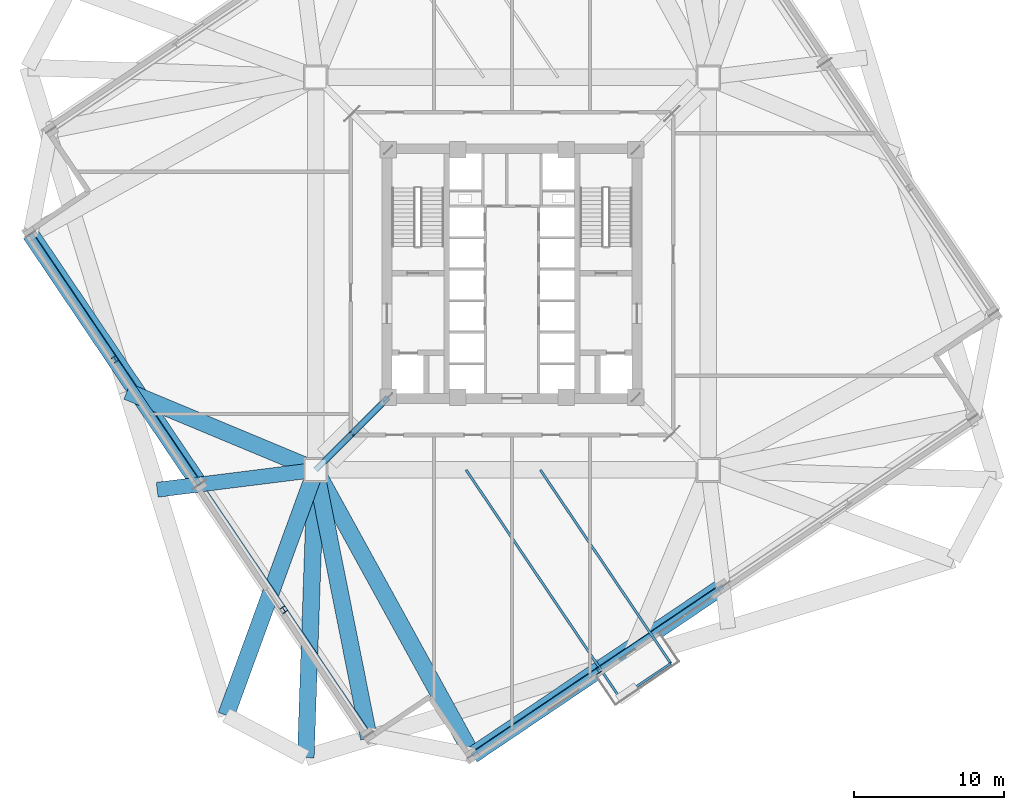
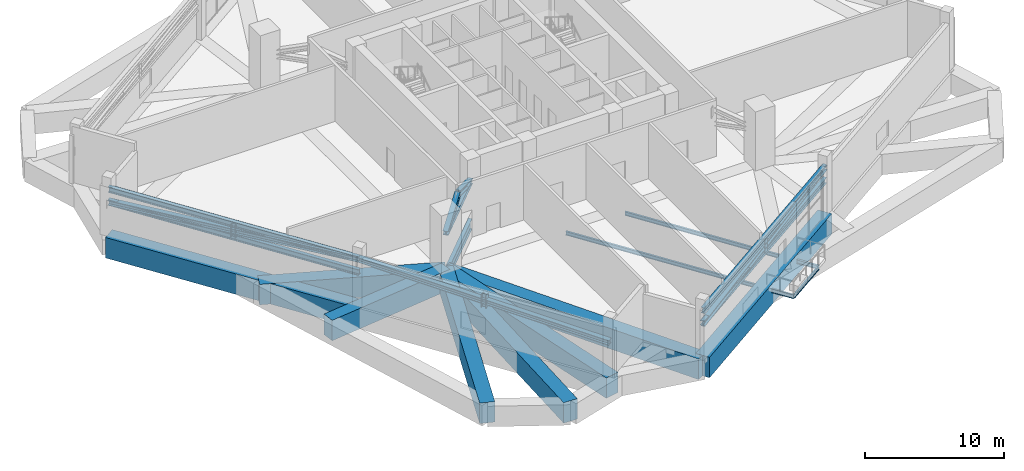
# One storey, part 2 of 21: 13 members, 12 beams.
"""IFC4 building model written with IfcOpenShell, lengths in metres."""

from ifc_helpers import new_model, si_unit, direction, frame, origin, origin_2d, place, context, subcontext, project, spatial, rectangle, i_section, extrude, source, transform, mapped, material, material_profile, profile_set, type_object, element, save


model = new_model("IFC4")

# Units and contexts
model_context = context("Model", 3, precision=1e-05, world=origin(), true_north=direction((0.0, 1.0)))
body_context = subcontext(model_context, "Body", "Model", "MODEL_VIEW")
ifc_project = project(units=[si_unit("LENGTHUNIT", "METRE"), si_unit("AREAUNIT", "SQUARE_METRE"), si_unit("VOLUMEUNIT", "CUBIC_METRE"), si_unit("PLANEANGLEUNIT", "RADIAN"), si_unit("MASSUNIT", "GRAM", prefix="KILO"), si_unit("THERMODYNAMICTEMPERATUREUNIT", "KELVIN")], contexts=[model_context])

# Site, building, storey
site_placement = place(None, origin())
site = spatial("IfcSite", under=ifc_project, at=site_placement, CompositionType="ELEMENT")
building_placement = place(site_placement, origin())
building = spatial("IfcBuilding", under=site, at=building_placement, Name="Kosmvard Interchange Tower", CompositionType="ELEMENT")
storey_placement = place(building_placement, frame((0.0, 0.0, 139.199951171875)))
storey = spatial("IfcBuildingStorey", under=building, at=storey_placement, Name="L33", CompositionType="ELEMENT", Elevation=139.199951171875)

# Beams
ifc_material_1 = material(Name="Steel S460", Category="steel")
ifc_material_profile_1 = material_profile(ifc_material_1, i_section(OverallWidth=0.30810546875, OverallDepth=0.909912109375, WebThickness=0.02099609375, FlangeThickness=0.0400390625, FilletRadius=0.027099609375, at=origin_2d()), Name="HEM 900")
ifc_profile_set_1 = profile_set([ifc_material_profile_1], Name="Steel S460")
beam_type_1 = type_object("IfcBeamType", Name="Primary Mega-Frame Girder HEM 900 S460", PredefinedType="BEAM", material=ifc_profile_set_1)
shared_shape_1 = source(origin(), body_context, "Body", "SweptSolid", [
    extrude(i_section(OverallWidth=0.30810546875, OverallDepth=0.909912109375, WebThickness=0.02099609375, FlangeThickness=0.0400390625, FilletRadius=0.027099609375, at=origin_2d()), origin(), (0.0, 0.0, 1.0), 6.83203125),
])
beam_1_placement = place(storey_placement, frame((-8.25, -8.25, -0.85498046875), z_axis=(-0.707106781187, -0.707106781187, 0.0), x_axis=(0.707106781187, -0.707106781187, 0.0)))
element("IfcBeam", 1, at=beam_1_placement, inside=storey, type_object=beam_type_1, Name="L33 Radial Mega-Frame Girder 1", PredefinedType="BEAM", context=body_context, shape_type="MappedRepresentation", body=[
    mapped(shared_shape_1, transform((0.0, 0.0, 0.0), scale=1.0)),
])
ifc_material_2 = material(Name="Concrete C60/75", Category="concrete")
ifc_material_profile_2 = material_profile(ifc_material_2, rectangle(XDim=1.1201171875, YDim=1.800048828125, at=origin_2d()), Name="TG 1120x1800")
ifc_profile_set_2 = profile_set([ifc_material_profile_2], Name="Concrete C60/75")
beam_type_2 = type_object("IfcBeamType", Name="Zone Long-Span Transfer Girder 1120x1800 C60/75", PredefinedType="USERDEFINED", material=ifc_profile_set_2)
shared_shape_2 = source(origin(), body_context, "Body", "SweptSolid", [
    extrude(rectangle(XDim=1.1201171875, YDim=1.800048828125, at=origin_2d()), origin(), (0.0, 0.0, 1.0), 19.18359375),
])
beam_2_placement = place(storey_placement, frame((-13.0810546875, -13.0810546875, -0.89990234375), z_axis=(-0.034641549738, -0.999399801397, 0.0), x_axis=(0.999399801397, -0.034641549738, 0.0)))
element("IfcBeam", 2, at=beam_2_placement, inside=storey, type_object=beam_type_2, Name="BM-L33-LD01", ObjectType="TRANSFER_GIRDER", PredefinedType="USERDEFINED", context=body_context, shape_type="MappedRepresentation", body=[
    mapped(shared_shape_2, transform((0.0, 0.0, 0.0), scale=1.0)),
])
shared_shape_3 = source(origin(), body_context, "Body", "SweptSolid", [
    extrude(rectangle(XDim=1.1201171875, YDim=1.800048828125, at=origin_2d()), origin(), (0.0, 0.0, 1.0), 17.40673828125),
])
beam_3_placement = place(storey_placement, frame((-13.0810546875, -13.0810546875, -0.89990234375), z_axis=(-0.343054696491, -0.939315429031, 0.0), x_axis=(0.939315429031, -0.343054696491, 0.0)))
element("IfcBeam", 3, at=beam_3_placement, inside=storey, type_object=beam_type_2, Name="BM-L33-LD12", ObjectType="TRANSFER_GIRDER", PredefinedType="USERDEFINED", context=body_context, shape_type="MappedRepresentation", body=[
    mapped(shared_shape_3, transform((0.0, 0.0, 0.0), scale=1.0)),
])

# Members
ifc_material_profile_3 = material_profile(ifc_material_1, i_section(OverallWidth=0.40087890625, OverallDepth=0.39892578125, WebThickness=0.0185546875, FlangeThickness=0.028076171875, FilletRadius=0.014892578125, at=origin_2d()), Name="HD 400x314")
ifc_profile_set_3 = profile_set([ifc_material_profile_3], Name="Steel S460")
member_type_1 = type_object("IfcMemberType", Name="Outrigger Top and Bottom Chord HD 400x314 S460", PredefinedType="CHORD", material=ifc_profile_set_3)
shared_shape_4 = source(origin(), body_context, "Body", "SweptSolid", [
    extrude(i_section(OverallWidth=0.40087890625, OverallDepth=0.39892578125, WebThickness=0.0185546875, FlangeThickness=0.028076171875, FilletRadius=0.014892578125, at=origin_2d()), origin(), (0.0, 0.0, 1.0), 6.83203125),
])
member_1_placement = place(storey_placement, frame((-8.25, -8.25, 2.920166015625), z_axis=(-0.707106781187, -0.707106781187, 0.0), x_axis=(0.707106781187, -0.707106781187, 0.0)))
element("IfcMember", 4, at=member_1_placement, inside=storey, type_object=member_type_1, Name="L33 Outrigger Bottom Chord 1", PredefinedType="CHORD", context=body_context, shape_type="MappedRepresentation", body=[
    mapped(shared_shape_4, transform((0.0, 0.0, 0.0), scale=1.0)),
])
ifc_material_profile_4 = material_profile(ifc_material_1, i_section(OverallWidth=0.3759765625, OverallDepth=0.386962890625, WebThickness=0.01953125, FlangeThickness=0.031982421875, FilletRadius=0.014892578125, at=origin_2d()), Name="HD 360x329")
ifc_profile_set_4 = profile_set([ifc_material_profile_4], Name="Steel S460")
member_type_2 = type_object("IfcMemberType", Name="Belt Truss Vertical Post HD 360x329 S460", PredefinedType="STUD", material=ifc_profile_set_4)
shared_shape_5 = source(origin(), body_context, "Body", "SweptSolid", [
    extrude(i_section(OverallWidth=0.3759765625, OverallDepth=0.386962890625, WebThickness=0.01953125, FlangeThickness=0.031982421875, FilletRadius=0.014892578125, at=origin_2d()), origin(), (0.0, 0.0, 1.0), 1.139892578125),
])
for number, where, z_axis, x_axis, name in (
    (5, (5.70751953125, -26.45654296875, 2.820068359375), (0.0, 0.0, 1.0), (0.829037572555, 0.559192903471, 0.0), "L33 Belt Truss Post S1"),
    (6, (-26.45654296875, -5.70751953125, 2.820068359375), (0.0, 0.0, 1.0), (0.829037572555, 0.559192903471, 0.0), "L33 Belt Truss Post W1"),
    (7, (-15.20263671875, -22.391845703125, 2.820068359375), (0.0, 0.0, 1.0), (0.829037572555, 0.559192903471, 0.0), "L33 Belt Truss Post W2"),
):
    element("IfcMember", number, at=place(storey_placement, frame(where, z_axis=z_axis, x_axis=x_axis)), inside=storey, type_object=member_type_2, Name=name, PredefinedType="STUD", context=body_context, shape_type="MappedRepresentation", body=[
        mapped(shared_shape_5, transform((0.0, 0.0, 0.0), scale=1.0)),
    ])

# Beams
shared_shape_6 = source(origin(), body_context, "Body", "SweptSolid", [
    extrude(rectangle(XDim=1.1201171875, YDim=1.800048828125, at=origin_2d()), origin(), (0.0, 0.0, 1.0), 13.619384765625),
])
beam_4_placement = place(storey_placement, frame((-13.0810546875, -13.0810546875, -0.89990234375), z_axis=(-0.92307586237, 0.384617930303, 0.0), x_axis=(-0.384617930303, -0.92307586237, 0.0)))
element("IfcBeam", 8, at=beam_4_placement, inside=storey, type_object=beam_type_2, Name="BM-L33-LD11", ObjectType="TRANSFER_GIRDER", PredefinedType="USERDEFINED", context=body_context, shape_type="MappedRepresentation", body=[
    mapped(shared_shape_6, transform((0.0, 0.0, 0.0), scale=1.0)),
])
shared_shape_7 = source(origin(), body_context, "Body", "SweptSolid", [
    extrude(rectangle(XDim=1.1201171875, YDim=1.800048828125, at=origin_2d()), origin(), (0.0, 0.0, 1.0), 21.684326171875),
])
beam_5_placement = place(storey_placement, frame((-13.0810546875, -13.0810546875, -0.89990234375), z_axis=(0.48174456271, -0.876311689012, 0.0), x_axis=(0.876311689012, 0.48174456271, 0.0)))
element("IfcBeam", 9, at=beam_5_placement, inside=storey, type_object=beam_type_2, Name="BM-L33-RD01", ObjectType="TRANSFER_GIRDER", PredefinedType="USERDEFINED", context=body_context, shape_type="MappedRepresentation", body=[
    mapped(shared_shape_7, transform((0.0, 0.0, 0.0), scale=1.0)),
])
shared_shape_8 = source(origin(), body_context, "Body", "SweptSolid", [
    extrude(rectangle(XDim=1.1201171875, YDim=1.800048828125, at=origin_2d()), origin(), (0.0, 0.0, 1.0), 20.125),
])
for number, where, z_axis, x_axis, name in (
    (10, (-2.634765625, -32.083251953125, -0.89990234375), (0.82904270175, 0.559185299051, 0.0), (-0.559185299051, 0.82904270175, 0.0), "BM-L33-PR01"),
    (11, (-32.083251953125, 2.634765625, -0.89990234375), (0.559185299051, -0.82904270175, 0.0), (0.82904270175, 0.559185299051, 0.0), "BM-L33-PR10"),
):
    element("IfcBeam", number, at=place(storey_placement, frame(where, z_axis=z_axis, x_axis=x_axis)), inside=storey, type_object=beam_type_2, Name=name, ObjectType="TRANSFER_GIRDER", PredefinedType="USERDEFINED", context=body_context, shape_type="MappedRepresentation", body=[
        mapped(shared_shape_8, transform((0.0, 0.0, 0.0), scale=1.0)),
    ])
ifc_material_profile_5 = material_profile(ifc_material_2, rectangle(XDim=1.0, YDim=1.800048828125, at=origin_2d()), Name="TG 1000x1800")
ifc_profile_set_5 = profile_set([ifc_material_profile_5], Name="Concrete C60/75")
beam_type_3 = type_object("IfcBeamType", Name="Zone Transfer Ring Girder 1000x1800 C60/75", PredefinedType="USERDEFINED", material=ifc_profile_set_5)
shared_shape_9 = source(origin(), body_context, "Body", "SweptSolid", [
    extrude(rectangle(XDim=1.0, YDim=1.800048828125, at=origin_2d()), origin(), (0.0, 0.0, 1.0), 10.648681640625),
])
beam_6_placement = place(storey_placement, frame((-13.0810546875, -13.0810546875, -0.89990234375), z_axis=(-0.992275054688, -0.124057308709, 0.0), x_axis=(0.124057308709, -0.992275054688, 0.0)))
element("IfcBeam", 12, at=beam_6_placement, inside=storey, type_object=beam_type_3, Name="BM-L33-RD11", ObjectType="TRANSFER_GIRDER", PredefinedType="USERDEFINED", context=body_context, shape_type="MappedRepresentation", body=[
    mapped(shared_shape_9, transform((0.0, 0.0, 0.0), scale=1.0)),
])
shared_shape_10 = source(origin(), body_context, "Body", "SweptSolid", [
    extrude(rectangle(XDim=1.1201171875, YDim=1.800048828125, at=origin_2d()), origin(), (0.0, 0.0, 1.0), 18.232421875),
])
beam_7_placement = place(storey_placement, frame((-13.0810546875, -13.0810546875, -0.89990234375), z_axis=(0.194764028779, -0.980850127743, 0.0), x_axis=(0.980850127743, 0.194764028779, 0.0)))
element("IfcBeam", 13, at=beam_7_placement, inside=storey, type_object=beam_type_2, Name="BM-L33-RD12", ObjectType="TRANSFER_GIRDER", PredefinedType="USERDEFINED", context=body_context, shape_type="MappedRepresentation", body=[
    mapped(shared_shape_10, transform((0.0, 0.0, 0.0), scale=1.0)),
])
ifc_material_3 = material(Name="Steel S355", Category="steel")
ifc_material_profile_6 = material_profile(ifc_material_3, i_section(OverallWidth=0.159912109375, OverallDepth=0.330078125, WebThickness=0.007568359375, FlangeThickness=0.011474609375, FilletRadius=0.01806640625, at=origin_2d()), Name="IPE 330")
ifc_profile_set_6 = profile_set([ifc_material_profile_6], Name="Steel S355")
beam_type_4 = type_object("IfcBeamType", Name="Balcony Cantilever Joist IPE 330 S355", PredefinedType="JOIST", material=ifc_profile_set_6)
shared_shape_11 = source(origin(), body_context, "Body", "SweptSolid", [
    extrude(i_section(OverallWidth=0.159912109375, OverallDepth=0.330078125, WebThickness=0.007568359375, FlangeThickness=0.011474609375, FilletRadius=0.01806640625, at=origin_2d()), origin(), (0.0, 0.0, 1.0), 18.3154296875),
])
beam_8_placement = place(storey_placement, frame((-3.05810546875, -13.0810546875, -0.56494140625), z_axis=(0.559198558956, -0.829033757854, 0.0), x_axis=(0.829033757854, 0.559198558956, 0.0)))
element("IfcBeam", 14, at=beam_8_placement, inside=storey, type_object=beam_type_4, Name="BM-L33-BJ2", PredefinedType="JOIST", context=body_context, shape_type="MappedRepresentation", body=[
    mapped(shared_shape_11, transform((0.0, 0.0, 0.0), scale=1.0)),
])
shared_shape_12 = source(origin(), body_context, "Body", "SweptSolid", [
    extrude(i_section(OverallWidth=0.159912109375, OverallDepth=0.330078125, WebThickness=0.007568359375, FlangeThickness=0.011474609375, FilletRadius=0.01806640625, at=origin_2d()), origin(), (0.0, 0.0, 1.0), 15.5498046875),
])
beam_9_placement = place(storey_placement, frame((1.887451171875, -13.0810546875, -0.56494140625), z_axis=(0.559192113404, -0.829038105461, 0.0), x_axis=(0.829038105461, 0.559192113404, 0.0)))
element("IfcBeam", 15, at=beam_9_placement, inside=storey, type_object=beam_type_4, Name="BM-L33-BJB2", PredefinedType="JOIST", context=body_context, shape_type="MappedRepresentation", body=[
    mapped(shared_shape_12, transform((0.0, 0.0, 0.0), scale=1.0)),
])
ifc_material_profile_7 = material_profile(ifc_material_3, i_section(OverallWidth=0.14990234375, OverallDepth=0.300048828125, WebThickness=0.007080078125, FlangeThickness=0.0107421875, FilletRadius=0.014892578125, at=origin_2d()), Name="IPE 300")
ifc_profile_set_7 = profile_set([ifc_material_profile_7], Name="Steel S355")
beam_type_5 = type_object("IfcBeamType", Name="Balcony Edge Header Joist IPE 300 S355", PredefinedType="JOIST", material=ifc_profile_set_7)
shared_shape_13 = source(origin(), body_context, "Body", "SweptSolid", [
    extrude(i_section(OverallWidth=0.14990234375, OverallDepth=0.300048828125, WebThickness=0.007080078125, FlangeThickness=0.0107421875, FilletRadius=0.014892578125, at=origin_2d()), origin(), (0.0, 0.0, 1.0), 4.099853515625),
])
beam_10_placement = place(storey_placement, frame((7.183837890625, -28.26513671875, -0.550048828125), z_axis=(0.829023978396, 0.559213057112, 0.0), x_axis=(-0.559213057112, 0.829023978396, 0.0)))
element("IfcBeam", 16, at=beam_10_placement, inside=storey, type_object=beam_type_5, Name="BM-L33-BJH2", PredefinedType="JOIST", context=body_context, shape_type="MappedRepresentation", body=[
    mapped(shared_shape_13, transform((0.0, 0.0, 0.0), scale=1.0)),
])

# Members
ifc_material_profile_8 = material_profile(ifc_material_1, i_section(OverallWidth=0.408935546875, OverallDepth=0.425048828125, WebThickness=0.02392578125, FlangeThickness=0.0390625, FilletRadius=0.014892578125, at=origin_2d()), Name="HD 400x421")
ifc_profile_set_8 = profile_set([ifc_material_profile_8], Name="Steel S460")
member_type_3 = type_object("IfcMemberType", Name="Radial Outrigger Diagonal HD 400x421 S460", PredefinedType="BRACE", material=ifc_profile_set_8)
shared_shape_14 = source(origin(), body_context, "Body", "SweptSolid", [
    extrude(i_section(OverallWidth=0.408935546875, OverallDepth=0.425048828125, WebThickness=0.02392578125, FlangeThickness=0.0390625, FilletRadius=0.014892578125, at=origin_2d()), origin(), (0.0, 0.0, 1.0), 3.62744140625),
])
for number, where, z_axis, x_axis, name in (
    (17, (-8.25, -8.25, 2.920166015625), (-0.665915478014, -0.665915478014, 0.336322988037), (0.707106781187, -0.707106781187, 0.0), "L33 Outrigger Diagonal 1A"),
    (18, (-10.66552734375, -10.66552734375, 4.14013671875), (-0.665915478014, -0.665915478014, -0.336322988037), (0.707106781187, -0.707106781187, 0.0), "L33 Outrigger Diagonal 1B"),
):
    element("IfcMember", number, at=place(storey_placement, frame(where, z_axis=z_axis, x_axis=x_axis)), inside=storey, type_object=member_type_3, Name=name, PredefinedType="BRACE", context=body_context, shape_type="MappedRepresentation", body=[
        mapped(shared_shape_14, transform((0.0, 0.0, 0.0), scale=1.0)),
    ])
ifc_material_profile_9 = material_profile(ifc_material_1, i_section(OverallWidth=0.300048828125, OverallDepth=0.5, WebThickness=0.014404296875, FlangeThickness=0.028076171875, FilletRadius=0.027099609375, at=origin_2d()), Name="HEB 500")
ifc_profile_set_9 = profile_set([ifc_material_profile_9], Name="Steel S460")
member_type_4 = type_object("IfcMemberType", Name="Belt Truss Chord HEB 500 S460", PredefinedType="CHORD", material=ifc_profile_set_9)
shared_shape_15 = source(origin(), body_context, "Body", "SweptSolid", [
    extrude(i_section(OverallWidth=0.300048828125, OverallDepth=0.5, WebThickness=0.014404296875, FlangeThickness=0.028076171875, FilletRadius=0.027099609375, at=origin_2d()), origin(), (0.0, 0.0, 1.0), 20.125),
])
for number, where, z_axis, x_axis, name in (
    (19, (-2.634765625, -32.083251953125, 2.820068359375), (0.82904270175, 0.559185299051, 0.0), (-0.559185299051, 0.82904270175, 0.0), "L33 Belt Truss Bottom Chord S1"),
    (20, (-2.634765625, -32.083251953125, 3.9599609375), (0.82904270175, 0.559185299051, 0.0), (-0.559185299051, 0.82904270175, 0.0), "L33 Belt Truss Top Chord S1"),
    (21, (-32.083251953125, 2.634765625, 2.820068359375), (0.559185299051, -0.82904270175, 0.0), (0.82904270175, 0.559185299051, 0.0), "L33 Belt Truss Bottom Chord W1"),
    (22, (-32.083251953125, 2.634765625, 3.9599609375), (0.559185299051, -0.82904270175, 0.0), (0.82904270175, 0.559185299051, 0.0), "L33 Belt Truss Top Chord W1"),
):
    element("IfcMember", number, at=place(storey_placement, frame(where, z_axis=z_axis, x_axis=x_axis)), inside=storey, type_object=member_type_4, Name=name, PredefinedType="CHORD", context=body_context, shape_type="MappedRepresentation", body=[
        mapped(shared_shape_15, transform((0.0, 0.0, 0.0), scale=1.0)),
    ])
ifc_material_profile_10 = material_profile(ifc_material_1, i_section(OverallWidth=0.406005859375, OverallDepth=0.416015625, WebThickness=0.021484375, FlangeThickness=0.034912109375, FilletRadius=0.014892578125, at=origin_2d()), Name="HD 400x382")
ifc_profile_set_10 = profile_set([ifc_material_profile_10], Name="Steel S460")
member_type_5 = type_object("IfcMemberType", Name="Perimeter Belt Truss Diagonal HD 400x382 S460", PredefinedType="BRACE", material=ifc_profile_set_10)
shared_shape_16 = source(origin(), body_context, "Body", "SweptSolid", [
    extrude(i_section(OverallWidth=0.406005859375, OverallDepth=0.416015625, WebThickness=0.021484375, FlangeThickness=0.034912109375, FilletRadius=0.014892578125, at=origin_2d()), origin(), (0.0, 0.0, 1.0), 20.157470703125),
])
for number, where, z_axis, x_axis, name in (
    (23, (-2.634765625, -32.083251953125, 2.820068359375), (0.827716055652, 0.558290482664, 0.056549696574), (-0.559185299051, 0.82904270175, 0.0), "L33 Belt Truss Diagonal S1"),
    (24, (-32.083251953125, 2.634765625, 2.820068359375), (0.558290482664, -0.827716055652, 0.056549696574), (0.82904270175, 0.559185299051, 0.0), "L33 Belt Truss Diagonal W1"),
):
    element("IfcMember", number, at=place(storey_placement, frame(where, z_axis=z_axis, x_axis=x_axis)), inside=storey, type_object=member_type_5, Name=name, PredefinedType="BRACE", context=body_context, shape_type="MappedRepresentation", body=[
        mapped(shared_shape_16, transform((0.0, 0.0, 0.0), scale=1.0)),
    ])
shared_shape_17 = source(origin(), body_context, "Body", "SweptSolid", [
    extrude(i_section(OverallWidth=0.406005859375, OverallDepth=0.416015625, WebThickness=0.021484375, FlangeThickness=0.034912109375, FilletRadius=0.014892578125, at=origin_2d()), origin(), (0.0, 0.0, 1.0), 20.1572265625),
])
member_2_placement = place(storey_placement, frame((-9.575927734375, -30.734130859375, 2.820068359375), z_axis=(-0.558296079613, 0.827712241777, 0.056550263493), x_axis=(-0.829038908426, -0.559190922956, 0.0)))
element("IfcMember", 25, at=member_2_placement, inside=storey, type_object=member_type_5, Name="L33 Belt Truss Diagonal W2", PredefinedType="BRACE", context=body_context, shape_type="MappedRepresentation", body=[
    mapped(shared_shape_17, transform((0.0, 0.0, 0.0), scale=1.0)),
])

save(model, "model.ifc")
